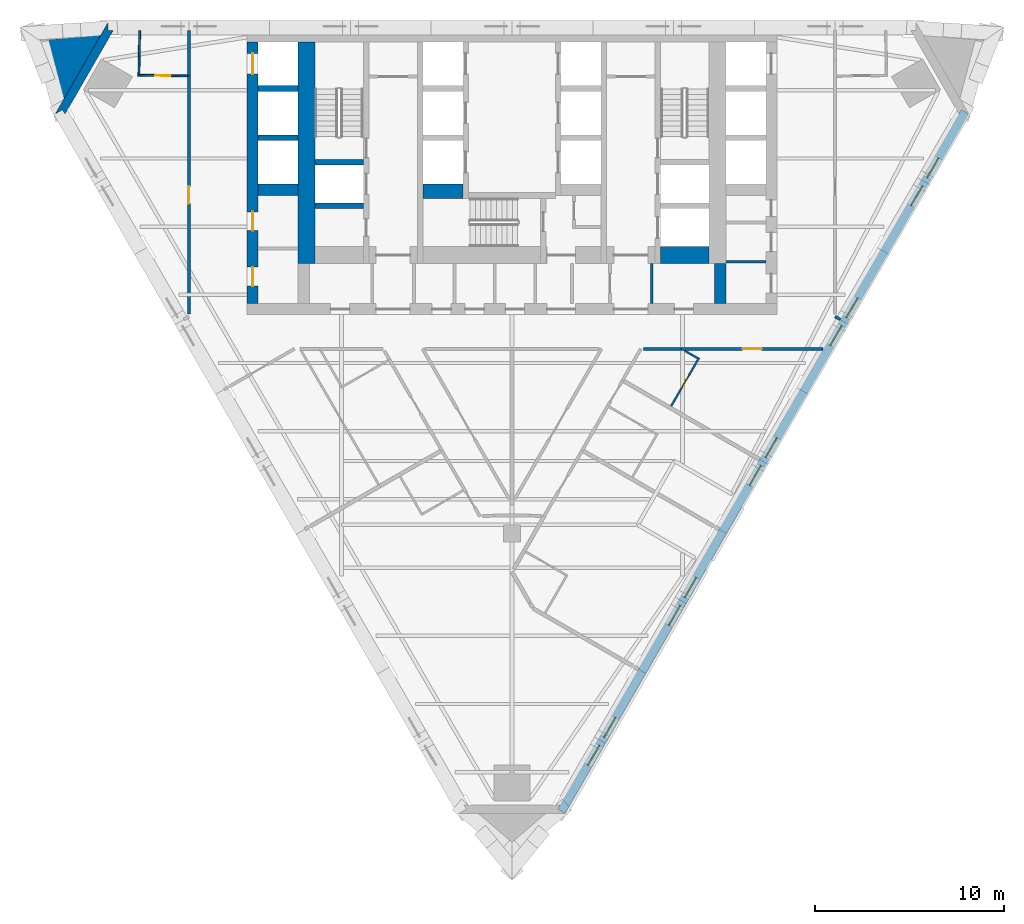
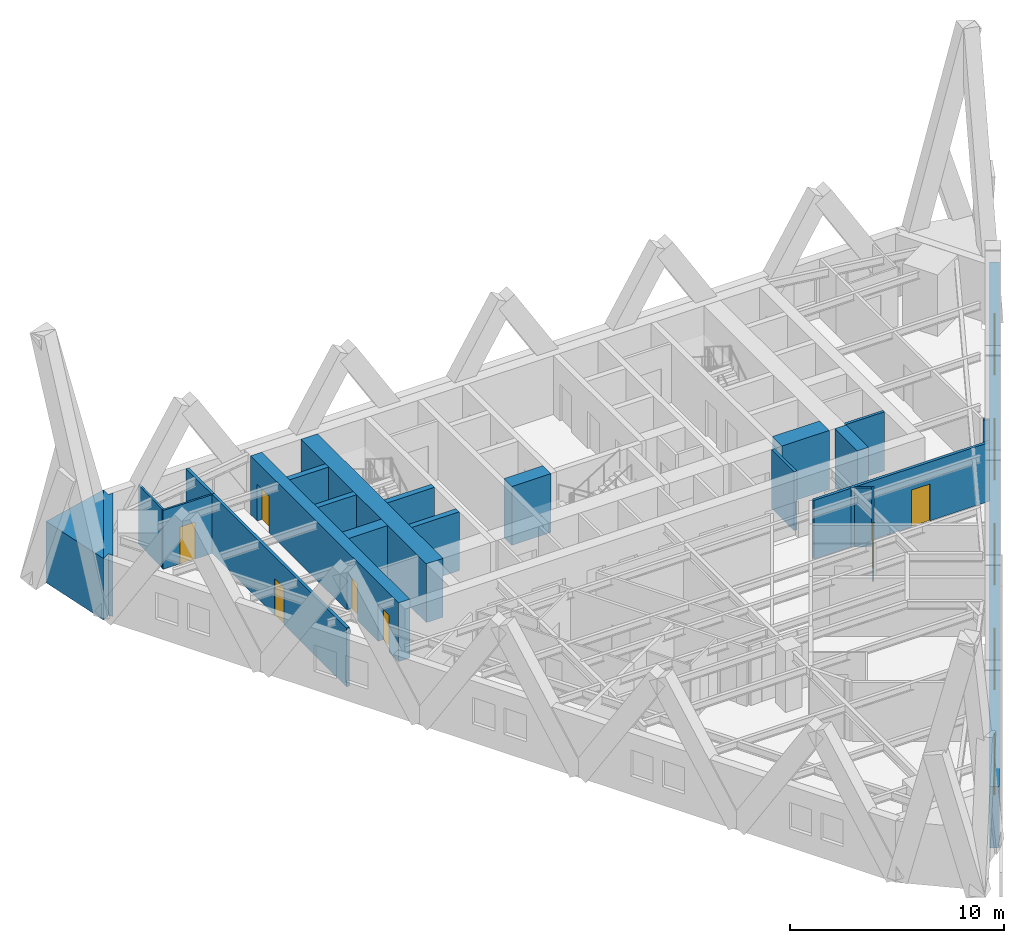
# One storey, part 5 of 9: 24 walls, 10 windows, 7 doors, 17 openings.
"""IFC4 building model written with IfcOpenShell, lengths in metres."""

from ifc_helpers import new_model, si_unit, direction, frame, frame_2d, origin, place, context, subcontext, project, spatial, polyline, rectangle, outline, extrude, material, layer, layer_set, type_object, element, fill, save


model = new_model("IFC4")

# Units and contexts
model_context = context("Model", 3, precision=1e-05, world=origin(), true_north=direction((0.0, 1.0)))
body_context = subcontext(model_context, "Body", "Model", "MODEL_VIEW")
ifc_project = project(units=[si_unit("LENGTHUNIT", "METRE"), si_unit("AREAUNIT", "SQUARE_METRE"), si_unit("VOLUMEUNIT", "CUBIC_METRE"), si_unit("PLANEANGLEUNIT", "RADIAN"), si_unit("MASSUNIT", "GRAM", prefix="KILO")], contexts=[model_context])

# Site, building, storey
site_placement = place(None, origin())
site = spatial("IfcSite", under=ifc_project, at=site_placement, CompositionType="ELEMENT")
building_placement = place(site_placement, origin())
building = spatial("IfcBuilding", under=site, at=building_placement, Name="Aloe Facet Convention Tower", CompositionType="ELEMENT")
storey_placement = place(building_placement, frame((0.0, 0.0, 109.800048828125)))
storey = spatial("IfcBuildingStorey", under=building, at=storey_placement, Name="L27", CompositionType="ELEMENT", Elevation=109.800048828125)

# Walls
ifc_material_1 = material(Name="Concrete blockwork partition", Category="masonry")
ifc_layer_1 = layer(ifc_material_1, 0.14990234375)
ifc_layer_set_1 = layer_set([ifc_layer_1], Name="CR-W-PART150")
wall_type_1 = type_object("IfcWallType", Name="CR-W-PART150", PredefinedType="PARTITIONING", material=ifc_layer_set_1)
wall_1_placement = place(storey_placement, frame((87.375, 122.25, 0.0), z_axis=(0.0, 0.0, 1.0), x_axis=(0.0, -1.0, 0.0)))
element("IfcWall", 1, at=wall_1_placement, inside=storey, type_object=wall_type_1, Name="Core partition L27-041", PredefinedType="PARTITIONING", context=body_context, shape_type="SweptSolid", body=[
    extrude(rectangle(XDim=2.10009765625, YDim=0.14990234375, at=frame_2d((1.050048828125, 0.0))), origin(), (0.0, 0.0, 1.0), 3.349853515625),
])
wall_2_placement = place(storey_placement, frame((91.300048828125, 122.346435546875, 0.0), z_axis=(0.0, 0.0, 1.0), x_axis=(1.0, 0.0, 0.0)))
element("IfcWall", 2, at=wall_2_placement, inside=storey, type_object=wall_type_1, Name="Core partition L27-052", PredefinedType="PARTITIONING", context=body_context, shape_type="SweptSolid", body=[
    extrude(rectangle(XDim=2.099853515625, YDim=0.14990234375, at=frame_2d((1.0498046875, 0.0))), origin(), (0.0, 0.0, 1.0), 3.349853515625),
])
ifc_material_2 = material(Name="Concrete C70/85", Category="concrete")
ifc_layer_2 = layer(ifc_material_2, 0.300048828125)
ifc_layer_set_2 = layer_set([ifc_layer_2], Name="CR-W-RC300-C7085")
wall_type_2 = type_object("IfcWallType", Name="CR-W-RC300-C7085", PredefinedType="SOLIDWALL", material=ifc_layer_set_2)
for number, where, z_axis, x_axis, name in (
    (3, (66.60009765625, 131.5, 0.0), (0.0, 0.0, 1.0), (1.0, 0.0, 0.0), "Core wall L27-004"),
    (4, (66.60009765625, 128.89990234375, 0.0), (0.0, 0.0, 1.0), (1.0, 0.0, 0.0), "Core wall L27-005"),
):
    element("IfcWall", number, at=place(storey_placement, frame(where, z_axis=z_axis, x_axis=x_axis)), inside=storey, type_object=wall_type_2, Name=name, PredefinedType="SOLIDWALL", context=body_context, shape_type="SweptSolid", body=[
        extrude(rectangle(XDim=2.099853515625, YDim=0.300048828125, at=frame_2d((1.0498046875, 0.0))), origin(), (0.0, 0.0, 1.0), 3.349853515625),
    ])
for number, where, z_axis, x_axis, name in (
    (5, (69.60009765625, 127.60009765625, 0.0), (0.0, 0.0, 1.0), (1.0, 0.0, 0.0), "Core wall L27-010"),
    (6, (69.60009765625, 125.300048828125, 0.0), (0.0, 0.0, 1.0), (1.0, 0.0, 0.0), "Core wall L27-011"),
):
    element("IfcWall", number, at=place(storey_placement, frame(where, z_axis=z_axis, x_axis=x_axis)), inside=storey, type_object=wall_type_2, Name=name, PredefinedType="SOLIDWALL", context=body_context, shape_type="SweptSolid", body=[
        extrude(rectangle(XDim=2.5498046875, YDim=0.300048828125, at=frame_2d((1.27490234375, 0.0))), origin(), (0.0, 0.0, 1.0), 3.349853515625),
    ])

# Wall, openings, doors
ifc_material_3 = material(Name="Concrete C70/85", Category="concrete")
ifc_layer_3 = layer(ifc_material_3, 0.60009765625)
ifc_layer_set_3 = layer_set([ifc_layer_3], Name="CR-W-RC600-C7085")
wall_type_3 = type_object("IfcWallType", Name="CR-W-RC600-C7085", PredefinedType="SOLIDWALL", material=ifc_layer_set_3)
wall_3_placement = place(storey_placement, frame((66.300048828125, 133.949951171875, 0.0), z_axis=(0.0, 0.0, 1.0), x_axis=(0.0, -1.0, 0.0)))
wall_3 = element("IfcWall", 7, at=wall_3_placement, inside=storey, type_object=wall_type_3, Name="Core wall L27-002", PredefinedType="SOLIDWALL", context=body_context, shape_type="SweptSolid", body=[
    extrude(rectangle(XDim=13.800048828125, YDim=0.60009765625, at=frame_2d((6.89990234375, 0.0))), origin(), (0.0, 0.0, 1.0), 3.349853515625),
])
opening_1_placement = place(wall_3_placement, frame((0.60009765625, 0.0, 0.0)))
opening_1 = element("IfcOpeningElement", 8, at=opening_1_placement, cuts=wall_3, Name="Opening LD-A7-L27", PredefinedType="OPENING", context=body_context, shape_type="SweptSolid", body=[
    extrude(rectangle(XDim=1.10009765625, YDim=2.10009765625, at=frame_2d((0.550048828125, 1.050048828125))), frame((0.0, 0.31005859375, 0.0), z_axis=(0.0, -1.0, 0.0), x_axis=(1.0, 0.0, 0.0)), (0.0, 0.0, 1.0), 0.6201171875),
])
opening_2_placement = place(wall_3_placement, frame((8.963134765625, 0.0, 0.0)))
opening_2 = element("IfcOpeningElement", 9, at=opening_2_placement, cuts=wall_3, Name="Opening L27-CD34", PredefinedType="OPENING", context=body_context, shape_type="SweptSolid", body=[
    extrude(rectangle(XDim=1.0, YDim=2.10009765625, at=frame_2d((0.5, 1.050048828125))), frame((0.0, 0.31005859375, 0.0), z_axis=(0.0, -1.0, 0.0), x_axis=(1.0, 0.0, 0.0)), (0.0, 0.0, 1.0), 0.6201171875),
])
opening_3_placement = place(wall_3_placement, frame((11.88818359375, 0.0, 0.0)))
opening_3 = element("IfcOpeningElement", 10, at=opening_3_placement, cuts=wall_3, Name="Opening L27-CD35", PredefinedType="OPENING", context=body_context, shape_type="SweptSolid", body=[
    extrude(rectangle(XDim=1.0, YDim=2.10009765625, at=frame_2d((0.5, 1.050048828125))), frame((0.0, 0.31005859375, 0.0), z_axis=(0.0, -1.0, 0.0), x_axis=(1.0, 0.0, 0.0)), (0.0, 0.0, 1.0), 0.6201171875),
])
ifc_material_4 = material(Name="Steel fire-resisting door set FD60", Category="steel")
door_type_1 = type_object("IfcDoorType", Name="CR-D-ROOM-1000-FD60-SLEFT", OperationType="SINGLE_SWING_LEFT", PredefinedType="DOOR", material=ifc_material_4)
door_1_placement = place(opening_2_placement, origin())
door_1 = element("IfcDoor", 11, at=door_1_placement, inside=storey, type_object=door_type_1, Name="Core door L27-CD34", OperationType="SINGLE_SWING_LEFT", OverallHeight=2.10009765625, OverallWidth=1.0, PredefinedType="DOOR", context=body_context, shape_type="SweptSolid", body=[
    extrude(rectangle(XDim=1.0, YDim=2.10009765625, at=frame_2d((0.5, 1.050048828125))), frame((0.0, 0.02490234375, 0.0), z_axis=(0.0, -1.0, 0.0), x_axis=(1.0, 0.0, 0.0)), (0.0, 0.0, 1.0), 0.050048828125),
])
fill(opening_2, door_1)
door_2_placement = place(opening_3_placement, origin())
door_2 = element("IfcDoor", 12, at=door_2_placement, inside=storey, type_object=door_type_1, Name="Core door L27-CD35", OperationType="SINGLE_SWING_LEFT", OverallHeight=2.10009765625, OverallWidth=1.0, PredefinedType="DOOR", context=body_context, shape_type="SweptSolid", body=[
    extrude(rectangle(XDim=1.0, YDim=2.10009765625, at=frame_2d((0.5, 1.050048828125))), frame((0.0, 0.02490234375, 0.0), z_axis=(0.0, -1.0, 0.0), x_axis=(1.0, 0.0, 0.0)), (0.0, 0.0, 1.0), 0.050048828125),
])
fill(opening_3, door_2)
ifc_material_5 = material(Name="Stainless steel sliding landing door", Category="steel")
door_type_2 = type_object("IfcDoorType", Name="CR-LD-1100-FD60-_LEFT", OperationType="SLIDING_TO_LEFT", PredefinedType="DOOR", material=ifc_material_5)
door_3_placement = place(opening_1_placement, origin())
door_3 = element("IfcDoor", 13, at=door_3_placement, inside=storey, type_object=door_type_2, Name="Landing door A7 L27", OperationType="SLIDING_TO_LEFT", OverallHeight=2.10009765625, OverallWidth=1.10009765625, PredefinedType="DOOR", context=body_context, shape_type="SweptSolid", body=[
    extrude(rectangle(XDim=1.10009765625, YDim=2.10009765625, at=frame_2d((0.550048828125, 1.050048828125))), frame((0.0, 0.02490234375, 0.0), z_axis=(0.0, -1.0, 0.0), x_axis=(1.0, 0.0, 0.0)), (0.0, 0.0, 1.0), 0.050048828125),
])
fill(opening_1, door_3)

# Walls
wall_4_placement = place(storey_placement, frame((66.60009765625, 126.14990234375, 0.0), z_axis=(0.0, 0.0, 1.0), x_axis=(1.0, 0.0, 0.0)))
element("IfcWall", 14, at=wall_4_placement, inside=storey, type_object=wall_type_3, Name="Core wall L27-006", PredefinedType="SOLIDWALL", context=body_context, shape_type="SweptSolid", body=[
    extrude(rectangle(XDim=2.099853515625, YDim=0.60009765625, at=frame_2d((1.0498046875, 0.0))), origin(), (0.0, 0.0, 1.0), 3.349853515625),
])
wall_5_placement = place(storey_placement, frame((91.0, 122.25, 0.0), z_axis=(0.0, 0.0, 1.0), x_axis=(0.0, -1.0, 0.0)))
element("IfcWall", 15, at=wall_5_placement, inside=storey, type_object=wall_type_3, Name="Core wall L27-047", PredefinedType="SOLIDWALL", context=body_context, shape_type="SweptSolid", body=[
    extrude(rectangle(XDim=2.10009765625, YDim=0.60009765625, at=frame_2d((1.050048828125, 0.0))), origin(), (0.0, 0.0, 1.0), 3.349853515625),
])
ifc_material_6 = material(Name="Concrete C70/85", Category="concrete")
ifc_layer_4 = layer(ifc_material_6, 0.75)
ifc_layer_set_4 = layer_set([ifc_layer_4], Name="CR-W-RC750-C7085")
wall_type_4 = type_object("IfcWallType", Name="CR-W-RC750-C7085", PredefinedType="SOLIDWALL", material=ifc_layer_set_4)
wall_6_placement = place(storey_placement, frame((75.300048828125, 126.074951171875, 0.0), z_axis=(0.0, 0.0, 1.0), x_axis=(1.0, 0.0, 0.0)))
element("IfcWall", 16, at=wall_6_placement, inside=storey, type_object=wall_type_4, Name="Core wall L27-021", PredefinedType="SOLIDWALL", context=body_context, shape_type="SweptSolid", body=[
    extrude(rectangle(XDim=2.099853515625, YDim=0.75, at=frame_2d((1.0498046875, 0.0))), origin(), (0.0, 0.0, 1.0), 3.349853515625),
])
ifc_material_7 = material(Name="Concrete C70/85", Category="concrete")
ifc_layer_5 = layer(ifc_material_7, 0.89990234375)
ifc_layer_set_5 = layer_set([ifc_layer_5], Name="CR-W-RC900-C7085")
wall_type_5 = type_object("IfcWallType", Name="CR-W-RC900-C7085", PredefinedType="SOLIDWALL", material=ifc_layer_set_5)
wall_7_placement = place(storey_placement, frame((69.14990234375, 133.949951171875, 0.0), z_axis=(0.0, 0.0, 1.0), x_axis=(0.0, -1.0, 0.0)))
element("IfcWall", 17, at=wall_7_placement, inside=storey, type_object=wall_type_5, Name="Core wall L27-008", PredefinedType="SOLIDWALL", context=body_context, shape_type="SweptSolid", body=[
    extrude(rectangle(XDim=11.699951171875, YDim=0.89990234375, at=frame_2d((5.85009765625, 0.0))), origin(), (0.0, 0.0, 1.0), 3.349853515625),
])
wall_8_placement = place(storey_placement, frame((87.85009765625, 122.699951171875, 0.0), z_axis=(0.0, 0.0, 1.0), x_axis=(1.0, 0.0, 0.0)))
element("IfcWall", 18, at=wall_8_placement, inside=storey, type_object=wall_type_5, Name="Core wall L27-045", PredefinedType="SOLIDWALL", context=body_context, shape_type="SweptSolid", body=[
    extrude(rectangle(XDim=2.5498046875, YDim=0.89990234375, at=frame_2d((1.27490234375, 0.0))), origin(), (0.0, 0.0, 1.0), 3.349853515625),
])
ifc_material_8 = material(Name="Precast concrete C40/50", Category="concrete")
ifc_layer_6 = layer(ifc_material_8, 0.449951171875)
ifc_layer_set_6 = layer_set([ifc_layer_6], Name="EV-WALL-PIER")
wall_type_6 = type_object("IfcWallType", Name="EV-WALL-PIER", PredefinedType="SOLIDWALL", material=ifc_layer_set_6)
wall_9_placement = place(storey_placement, frame((0.0, 0.0, -0.150146484375)))
element("IfcWall", 19, at=wall_9_placement, inside=storey, type_object=wall_type_6, Name="EP-L27-A", PredefinedType="SOLIDWALL", context=body_context, shape_type="SweptSolid", body=[
    extrude(outline(polyline([(58.678466796875, 135.0), (58.678466796875, 134.550048828125), (58.938232421875, 134.550048828125), (56.398193359375, 130.150146484375), (56.26806640625, 130.375244140625), (55.87841796875, 130.150146484375), (58.678466796875, 135.0)])), origin(), (0.0, 0.0, 1.0), 3.5),
])
ifc_material_9 = material(Name="Precast concrete C40/50", Category="concrete")
ifc_layer_7 = layer(ifc_material_9, 3.947998046875)
ifc_layer_set_7 = layer_set([ifc_layer_7], Name="EV-WALL-SPINE")
wall_type_7 = type_object("IfcWallType", Name="EV-WALL-SPINE", PredefinedType="SOLIDWALL", material=ifc_layer_set_7)
wall_10_placement = place(storey_placement, frame((0.0, 0.0, -0.150146484375)))
element("IfcWall", 20, at=wall_10_placement, inside=storey, type_object=wall_type_7, Name="SP-NW-L27", PredefinedType="SOLIDWALL", context=body_context, shape_type="SweptSolid", body=[
    extrude(outline(polyline([(58.678466796875, 135.0), (55.07666015625, 134.11328125), (55.87841796875, 130.150146484375), (58.678466796875, 135.0)])), origin(), (0.0, 0.0, 1.0), 3.5),
])

# Wall, openings, windows
ifc_material_10 = material(Name="Precast concrete C40/50", Category="concrete")
ifc_layer_8 = layer(ifc_material_10, 0.449951171875)
ifc_layer_set_8 = layer_set([ifc_layer_8], Name="EV-WALL-STONE")
wall_type_8 = type_object("IfcWallType", Name="EV-WALL-STONE", PredefinedType="SOLIDWALL", material=ifc_layer_set_8)
wall_11_placement = place(storey_placement, frame((82.605224609375, 93.332763671875, -0.150146484375), z_axis=(0.0, 0.0, 1.0), x_axis=(0.500000478905, 0.866025127289, 0.0)))
wall_11 = element("IfcWall", 21, at=wall_11_placement, inside=storey, type_object=wall_type_8, Name="EW-L27-E01", PredefinedType="SOLIDWALL", context=body_context, shape_type="SweptSolid", body=[
    extrude(outline(polyline([(42.64306640625, 0.0), (42.64306640625, 3.5), (0.0, 3.5), (0.0, 0.0), (42.64306640625, 0.0)])), frame((0.0, 0.22509765625, 0.0), z_axis=(0.0, -1.0, 0.0), x_axis=(1.0, 0.0, 0.0)), (0.0, 0.0, 1.0), 0.449951171875),
])
opening_4_placement = place(wall_11_placement, frame((2.814208984375, 0.0, 1.050048828125)))
opening_4 = element("IfcOpeningElement", 22, at=opening_4_placement, cuts=wall_11, Name="Opening W-L27-E01", PredefinedType="OPENING", context=body_context, shape_type="SweptSolid", body=[
    extrude(rectangle(XDim=1.199951171875, YDim=1.5, at=frame_2d((0.60009765625, 0.75))), frame((0.0, 0.23486328125, 0.0), z_axis=(0.0, -1.0, 0.0), x_axis=(1.0, 0.0, 0.0)), (0.0, 0.0, 1.0), 0.469970703125),
])
opening_5_placement = place(wall_11_placement, frame((4.514404296875, 0.0, 1.050048828125)))
opening_5 = element("IfcOpeningElement", 23, at=opening_5_placement, cuts=wall_11, Name="Opening W-L27-E02", PredefinedType="OPENING", context=body_context, shape_type="SweptSolid", body=[
    extrude(rectangle(XDim=1.199951171875, YDim=1.5, at=frame_2d((0.60009765625, 0.75))), frame((0.0, 0.23486328125, 0.0), z_axis=(0.0, -1.0, 0.0), x_axis=(1.0, 0.0, 0.0)), (0.0, 0.0, 1.0), 0.469970703125),
])
opening_6_placement = place(wall_11_placement, frame((11.343017578125, 0.0, 1.050048828125)))
opening_6 = element("IfcOpeningElement", 24, at=opening_6_placement, cuts=wall_11, Name="Opening W-L27-E03", PredefinedType="OPENING", context=body_context, shape_type="SweptSolid", body=[
    extrude(rectangle(XDim=1.199951171875, YDim=1.5, at=frame_2d((0.60009765625, 0.75))), frame((0.0, 0.23486328125, 0.0), z_axis=(0.0, -1.0, 0.0), x_axis=(1.0, 0.0, 0.0)), (0.0, 0.0, 1.0), 0.469970703125),
])
opening_7_placement = place(wall_11_placement, frame((13.04296875, 0.0, 1.050048828125)))
opening_7 = element("IfcOpeningElement", 25, at=opening_7_placement, cuts=wall_11, Name="Opening W-L27-E04", PredefinedType="OPENING", context=body_context, shape_type="SweptSolid", body=[
    extrude(rectangle(XDim=1.199951171875, YDim=1.5, at=frame_2d((0.60009765625, 0.75))), frame((0.0, 0.23486328125, 0.0), z_axis=(0.0, -1.0, 0.0), x_axis=(1.0, 0.0, 0.0)), (0.0, 0.0, 1.0), 0.469970703125),
])
opening_8_placement = place(wall_11_placement, frame((19.87158203125, 0.0, 1.050048828125)))
opening_8 = element("IfcOpeningElement", 26, at=opening_8_placement, cuts=wall_11, Name="Opening W-L27-E05", PredefinedType="OPENING", context=body_context, shape_type="SweptSolid", body=[
    extrude(rectangle(XDim=1.199951171875, YDim=1.5, at=frame_2d((0.60009765625, 0.75))), frame((0.0, 0.23486328125, 0.0), z_axis=(0.0, -1.0, 0.0), x_axis=(1.0, 0.0, 0.0)), (0.0, 0.0, 1.0), 0.469970703125),
])
opening_9_placement = place(wall_11_placement, frame((21.571533203125, 0.0, 1.050048828125)))
opening_9 = element("IfcOpeningElement", 27, at=opening_9_placement, cuts=wall_11, Name="Opening W-L27-E06", PredefinedType="OPENING", context=body_context, shape_type="SweptSolid", body=[
    extrude(rectangle(XDim=1.199951171875, YDim=1.5, at=frame_2d((0.60009765625, 0.75))), frame((0.0, 0.23486328125, 0.0), z_axis=(0.0, -1.0, 0.0), x_axis=(1.0, 0.0, 0.0)), (0.0, 0.0, 1.0), 0.469970703125),
])
opening_10_placement = place(wall_11_placement, frame((28.400146484375, 0.0, 1.050048828125)))
opening_10 = element("IfcOpeningElement", 28, at=opening_10_placement, cuts=wall_11, Name="Opening W-L27-E07", PredefinedType="OPENING", context=body_context, shape_type="SweptSolid", body=[
    extrude(rectangle(XDim=1.199951171875, YDim=1.5, at=frame_2d((0.60009765625, 0.75))), frame((0.0, 0.23486328125, 0.0), z_axis=(0.0, -1.0, 0.0), x_axis=(1.0, 0.0, 0.0)), (0.0, 0.0, 1.0), 0.469970703125),
])
opening_11_placement = place(wall_11_placement, frame((30.10009765625, 0.0, 1.050048828125)))
opening_11 = element("IfcOpeningElement", 29, at=opening_11_placement, cuts=wall_11, Name="Opening W-L27-E08", PredefinedType="OPENING", context=body_context, shape_type="SweptSolid", body=[
    extrude(rectangle(XDim=1.199951171875, YDim=1.5, at=frame_2d((0.60009765625, 0.75))), frame((0.0, 0.23486328125, 0.0), z_axis=(0.0, -1.0, 0.0), x_axis=(1.0, 0.0, 0.0)), (0.0, 0.0, 1.0), 0.469970703125),
])
opening_12_placement = place(wall_11_placement, frame((36.9287109375, 0.0, 1.050048828125)))
opening_12 = element("IfcOpeningElement", 30, at=opening_12_placement, cuts=wall_11, Name="Opening W-L27-E09", PredefinedType="OPENING", context=body_context, shape_type="SweptSolid", body=[
    extrude(rectangle(XDim=1.199951171875, YDim=1.5, at=frame_2d((0.60009765625, 0.75))), frame((0.0, 0.23486328125, 0.0), z_axis=(0.0, -1.0, 0.0), x_axis=(1.0, 0.0, 0.0)), (0.0, 0.0, 1.0), 0.469970703125),
])
opening_13_placement = place(wall_11_placement, frame((38.628662109375, 0.0, 1.050048828125)))
opening_13 = element("IfcOpeningElement", 31, at=opening_13_placement, cuts=wall_11, Name="Opening W-L27-E10", PredefinedType="OPENING", context=body_context, shape_type="SweptSolid", body=[
    extrude(rectangle(XDim=1.199951171875, YDim=1.5, at=frame_2d((0.60009765625, 0.75))), frame((0.0, 0.23486328125, 0.0), z_axis=(0.0, -1.0, 0.0), x_axis=(1.0, 0.0, 0.0)), (0.0, 0.0, 1.0), 0.469970703125),
])
ifc_material_11 = material(Name="Aluminium frame, clear double glazing", Category="aluminium")
window_type = type_object("IfcWindowType", Name="EV-WIN-H12", PartitioningType="SINGLE_PANEL", PredefinedType="WINDOW", material=ifc_material_11)
window_1_placement = place(opening_4_placement, origin())
window_1 = element("IfcWindow", 32, at=window_1_placement, inside=storey, type_object=window_type, Name="W-L27-E01", OverallHeight=1.5, OverallWidth=1.199951171875, PartitioningType="SINGLE_PANEL", PredefinedType="WINDOW", context=body_context, shape_type="SweptSolid", body=[
    extrude(rectangle(XDim=1.199951171875, YDim=1.5, at=frame_2d((0.60009765625, 0.75))), frame((0.0, 0.030029296875, 0.0), z_axis=(0.0, -1.0, 0.0), x_axis=(1.0, 0.0, 0.0)), (0.0, 0.0, 1.0), 0.06005859375),
])
fill(opening_4, window_1)
window_2_placement = place(opening_5_placement, origin())
window_2 = element("IfcWindow", 33, at=window_2_placement, inside=storey, type_object=window_type, Name="W-L27-E02", OverallHeight=1.5, OverallWidth=1.199951171875, PartitioningType="SINGLE_PANEL", PredefinedType="WINDOW", context=body_context, shape_type="SweptSolid", body=[
    extrude(rectangle(XDim=1.199951171875, YDim=1.5, at=frame_2d((0.60009765625, 0.75))), frame((0.0, 0.030029296875, 0.0), z_axis=(0.0, -1.0, 0.0), x_axis=(1.0, 0.0, 0.0)), (0.0, 0.0, 1.0), 0.06005859375),
])
fill(opening_5, window_2)
window_3_placement = place(opening_6_placement, origin())
window_3 = element("IfcWindow", 34, at=window_3_placement, inside=storey, type_object=window_type, Name="W-L27-E03", OverallHeight=1.5, OverallWidth=1.199951171875, PartitioningType="SINGLE_PANEL", PredefinedType="WINDOW", context=body_context, shape_type="SweptSolid", body=[
    extrude(rectangle(XDim=1.199951171875, YDim=1.5, at=frame_2d((0.60009765625, 0.75))), frame((0.0, 0.030029296875, 0.0), z_axis=(0.0, -1.0, 0.0), x_axis=(1.0, 0.0, 0.0)), (0.0, 0.0, 1.0), 0.06005859375),
])
fill(opening_6, window_3)
window_4_placement = place(opening_7_placement, origin())
window_4 = element("IfcWindow", 35, at=window_4_placement, inside=storey, type_object=window_type, Name="W-L27-E04", OverallHeight=1.5, OverallWidth=1.199951171875, PartitioningType="SINGLE_PANEL", PredefinedType="WINDOW", context=body_context, shape_type="SweptSolid", body=[
    extrude(rectangle(XDim=1.199951171875, YDim=1.5, at=frame_2d((0.60009765625, 0.75))), frame((0.0, 0.030029296875, 0.0), z_axis=(0.0, -1.0, 0.0), x_axis=(1.0, 0.0, 0.0)), (0.0, 0.0, 1.0), 0.06005859375),
])
fill(opening_7, window_4)
window_5_placement = place(opening_8_placement, origin())
window_5 = element("IfcWindow", 36, at=window_5_placement, inside=storey, type_object=window_type, Name="W-L27-E05", OverallHeight=1.5, OverallWidth=1.199951171875, PartitioningType="SINGLE_PANEL", PredefinedType="WINDOW", context=body_context, shape_type="SweptSolid", body=[
    extrude(rectangle(XDim=1.199951171875, YDim=1.5, at=frame_2d((0.60009765625, 0.75))), frame((0.0, 0.030029296875, 0.0), z_axis=(0.0, -1.0, 0.0), x_axis=(1.0, 0.0, 0.0)), (0.0, 0.0, 1.0), 0.06005859375),
])
fill(opening_8, window_5)
window_6_placement = place(opening_9_placement, origin())
window_6 = element("IfcWindow", 37, at=window_6_placement, inside=storey, type_object=window_type, Name="W-L27-E06", OverallHeight=1.5, OverallWidth=1.199951171875, PartitioningType="SINGLE_PANEL", PredefinedType="WINDOW", context=body_context, shape_type="SweptSolid", body=[
    extrude(rectangle(XDim=1.199951171875, YDim=1.5, at=frame_2d((0.60009765625, 0.75))), frame((0.0, 0.030029296875, 0.0), z_axis=(0.0, -1.0, 0.0), x_axis=(1.0, 0.0, 0.0)), (0.0, 0.0, 1.0), 0.06005859375),
])
fill(opening_9, window_6)
window_7_placement = place(opening_10_placement, origin())
window_7 = element("IfcWindow", 38, at=window_7_placement, inside=storey, type_object=window_type, Name="W-L27-E07", OverallHeight=1.5, OverallWidth=1.199951171875, PartitioningType="SINGLE_PANEL", PredefinedType="WINDOW", context=body_context, shape_type="SweptSolid", body=[
    extrude(rectangle(XDim=1.199951171875, YDim=1.5, at=frame_2d((0.60009765625, 0.75))), frame((0.0, 0.030029296875, 0.0), z_axis=(0.0, -1.0, 0.0), x_axis=(1.0, 0.0, 0.0)), (0.0, 0.0, 1.0), 0.06005859375),
])
fill(opening_10, window_7)
window_8_placement = place(opening_11_placement, origin())
window_8 = element("IfcWindow", 39, at=window_8_placement, inside=storey, type_object=window_type, Name="W-L27-E08", OverallHeight=1.5, OverallWidth=1.199951171875, PartitioningType="SINGLE_PANEL", PredefinedType="WINDOW", context=body_context, shape_type="SweptSolid", body=[
    extrude(rectangle(XDim=1.199951171875, YDim=1.5, at=frame_2d((0.60009765625, 0.75))), frame((0.0, 0.030029296875, 0.0), z_axis=(0.0, -1.0, 0.0), x_axis=(1.0, 0.0, 0.0)), (0.0, 0.0, 1.0), 0.06005859375),
])
fill(opening_11, window_8)
window_9_placement = place(opening_12_placement, origin())
window_9 = element("IfcWindow", 40, at=window_9_placement, inside=storey, type_object=window_type, Name="W-L27-E09", OverallHeight=1.5, OverallWidth=1.199951171875, PartitioningType="SINGLE_PANEL", PredefinedType="WINDOW", context=body_context, shape_type="SweptSolid", body=[
    extrude(rectangle(XDim=1.199951171875, YDim=1.5, at=frame_2d((0.60009765625, 0.75))), frame((0.0, 0.030029296875, 0.0), z_axis=(0.0, -1.0, 0.0), x_axis=(1.0, 0.0, 0.0)), (0.0, 0.0, 1.0), 0.06005859375),
])
fill(opening_12, window_9)
window_10_placement = place(opening_13_placement, origin())
window_10 = element("IfcWindow", 41, at=window_10_placement, inside=storey, type_object=window_type, Name="W-L27-E10", OverallHeight=1.5, OverallWidth=1.199951171875, PartitioningType="SINGLE_PANEL", PredefinedType="WINDOW", context=body_context, shape_type="SweptSolid", body=[
    extrude(rectangle(XDim=1.199951171875, YDim=1.5, at=frame_2d((0.60009765625, 0.75))), frame((0.0, 0.030029296875, 0.0), z_axis=(0.0, -1.0, 0.0), x_axis=(1.0, 0.0, 0.0)), (0.0, 0.0, 1.0), 0.06005859375),
])
fill(opening_13, window_10)

# Wall
ifc_material_12 = material(Name="Gypsum board partition on steel studs", Category="steel")
ifc_layer_9 = layer(ifc_material_12, 0.14990234375)
ifc_layer_set_9 = layer_set([ifc_layer_9], Name="IN-W-CORR")
wall_type_9 = type_object("IfcWallType", Name="IN-W-CORR", PredefinedType="PARTITIONING", material=ifc_layer_set_9)
wall_12_placement = place(storey_placement, frame((86.9306640625, 117.75, 0.0), z_axis=(0.0, 0.0, 1.0), x_axis=(1.0, 0.0, 0.0)))
element("IfcWall", 42, at=wall_12_placement, inside=storey, type_object=wall_type_9, Name="Partition L27-W052", PredefinedType="PARTITIONING", context=body_context, shape_type="SweptSolid", body=[
    extrude(rectangle(XDim=2.005615234375, YDim=0.14990234375, at=frame_2d((1.0029296875, 0.0))), origin(), (0.0, 0.0, 1.0), 3.349853515625),
])

# Wall, opening, door
wall_13_placement = place(storey_placement, frame((88.936279296875, 117.75, 0.0), z_axis=(0.0, 0.0, 1.0), x_axis=(1.0, 0.0, 0.0)))
wall_13 = element("IfcWall", 43, at=wall_13_placement, inside=storey, type_object=wall_type_9, Name="Partition L27-W054", PredefinedType="PARTITIONING", context=body_context, shape_type="SweptSolid", body=[
    extrude(rectangle(XDim=7.494873046875, YDim=0.14990234375, at=frame_2d((3.74755859375, 0.0))), origin(), (0.0, 0.0, 1.0), 3.349853515625),
])
opening_14_placement = place(wall_13_placement, frame((3.247314453125, 0.0, 0.0)))
opening_14 = element("IfcOpeningElement", 44, at=opening_14_placement, cuts=wall_13, Name="Opening L27-006", PredefinedType="OPENING", context=body_context, shape_type="SweptSolid", body=[
    extrude(rectangle(XDim=1.0, YDim=2.10009765625, at=frame_2d((0.5, 1.050048828125))), frame((0.0, 0.0849609375, 0.0), z_axis=(0.0, -1.0, 0.0), x_axis=(1.0, 0.0, 0.0)), (0.0, 0.0, 1.0), 0.169921875),
])
ifc_material_13 = material(Name="Hardwood flush door FD30S", Category="wood")
door_type_3 = type_object("IfcDoorType", Name="IN-D-WIDE", OperationType="SINGLE_SWING_LEFT", PredefinedType="DOOR", material=ifc_material_13)
door_4_placement = place(opening_14_placement, origin())
door_4 = element("IfcDoor", 45, at=door_4_placement, inside=storey, type_object=door_type_3, Name="Door L27-006", OperationType="SINGLE_SWING_LEFT", OverallHeight=2.10009765625, OverallWidth=1.0, PredefinedType="DOOR", context=body_context, shape_type="SweptSolid", body=[
    extrude(rectangle(XDim=1.0, YDim=2.10009765625, at=frame_2d((0.5, 1.050048828125))), frame((0.0, 0.02490234375, 0.0), z_axis=(0.0, -1.0, 0.0), x_axis=(1.0, 0.0, 0.0)), (0.0, 0.0, 1.0), 0.050048828125),
])
fill(opening_14, door_4)

wall_14_placement = place(storey_placement, frame((62.94287109375, 119.586669921875, 0.0), z_axis=(0.0, 0.0, 1.0), x_axis=(0.0, 1.0, 0.0)))
wall_14 = element("IfcWall", 46, at=wall_14_placement, inside=storey, type_object=wall_type_9, Name="Partition L27-W056", PredefinedType="PARTITIONING", context=body_context, shape_type="SweptSolid", body=[
    extrude(rectangle(XDim=12.572998046875, YDim=0.14990234375, at=frame_2d((6.28662109375, 0.0))), origin(), (0.0, 0.0, 1.0), 3.349853515625),
])
opening_15_placement = place(wall_14_placement, frame((5.83642578125, 0.0, 0.0)))
opening_15 = element("IfcOpeningElement", 47, at=opening_15_placement, cuts=wall_14, Name="Opening L27-001", PredefinedType="OPENING", context=body_context, shape_type="SweptSolid", body=[
    extrude(rectangle(XDim=0.89990234375, YDim=2.10009765625, at=frame_2d((0.449951171875, 1.050048828125))), frame((0.0, 0.0849609375, 0.0), z_axis=(0.0, -1.0, 0.0), x_axis=(1.0, 0.0, 0.0)), (0.0, 0.0, 1.0), 0.169921875),
])
ifc_material_14 = material(Name="Hardwood flush door FD30S", Category="wood")
door_type_4 = type_object("IfcDoorType", Name="IN-D-GUEST", OperationType="SINGLE_SWING_LEFT", PredefinedType="DOOR", material=ifc_material_14)
door_5_placement = place(opening_15_placement, origin())
door_5 = element("IfcDoor", 48, at=door_5_placement, inside=storey, type_object=door_type_4, Name="Door L27-001", OperationType="SINGLE_SWING_LEFT", OverallHeight=2.10009765625, OverallWidth=0.89990234375, PredefinedType="DOOR", context=body_context, shape_type="SweptSolid", body=[
    extrude(rectangle(XDim=0.89990234375, YDim=2.10009765625, at=frame_2d((0.449951171875, 1.050048828125))), frame((0.0, 0.02490234375, 0.0), z_axis=(0.0, -1.0, 0.0), x_axis=(1.0, 0.0, 0.0)), (0.0, 0.0, 1.0), 0.050048828125),
])
fill(opening_15, door_5)

# Walls
wall_15_placement = place(storey_placement, frame((97.05712890625, 119.456787109375, 0.0), z_axis=(0.0, 0.0, 1.0), x_axis=(0.866159461733, -0.499767732902, 0.0)))
element("IfcWall", 49, at=wall_15_placement, inside=storey, type_object=wall_type_9, Name="Partition L27-W057", PredefinedType="PARTITIONING", context=body_context, shape_type="SweptSolid", body=[
    extrude(rectangle(XDim=0.311279296875, YDim=0.14990234375, at=frame_2d((0.15576171875, 0.0))), origin(), (0.0, 0.0, 1.0), 3.349853515625),
])
wall_16_placement = place(storey_placement, frame((62.94287109375, 132.15966796875, 0.0), z_axis=(0.0, 0.0, 1.0), x_axis=(0.0, 1.0, 0.0)))
element("IfcWall", 50, at=wall_16_placement, inside=storey, type_object=wall_type_9, Name="Partition L27-W066", PredefinedType="PARTITIONING", context=body_context, shape_type="SweptSolid", body=[
    extrude(rectangle(XDim=2.390380859375, YDim=0.14990234375, at=frame_2d((1.1953125, 0.0))), origin(), (0.0, 0.0, 1.0), 3.349853515625),
])

# Wall, opening, door
ifc_material_15 = material(Name="Gypsum board partition on steel studs", Category="steel")
ifc_layer_10 = layer(ifc_material_15, 0.10009765625)
ifc_layer_set_10 = layer_set([ifc_layer_10], Name="IN-W-PART")
wall_type_10 = type_object("IfcWallType", Name="IN-W-PART", PredefinedType="PARTITIONING", material=ifc_layer_set_10)
wall_17_placement = place(storey_placement, frame((88.40625, 114.73046875, 0.0), z_axis=(0.0, 0.0, 1.0), x_axis=(0.499988418424, 0.866032090307, 0.0)))
wall_17 = element("IfcWall", 51, at=wall_17_placement, inside=storey, type_object=wall_type_10, Name="Partition L27-W041", PredefinedType="PARTITIONING", context=body_context, shape_type="SweptSolid", body=[
    extrude(rectangle(XDim=2.93994140625, YDim=0.10009765625, at=frame_2d((1.469970703125, 0.0))), origin(), (0.0, 0.0, 1.0), 3.349853515625),
])
opening_16_placement = place(wall_17_placement, frame((1.070068359375, 0.0, 0.0)))
opening_16 = element("IfcOpeningElement", 52, at=opening_16_placement, cuts=wall_17, Name="Opening L27-017", PredefinedType="OPENING", context=body_context, shape_type="SweptSolid", body=[
    extrude(rectangle(XDim=0.800048828125, YDim=2.10009765625, at=frame_2d((0.39990234375, 1.050048828125))), frame((0.0, 0.06005859375, 0.0), z_axis=(0.0, -1.0, 0.0), x_axis=(1.0, 0.0, 0.0)), (0.0, 0.0, 1.0), 0.1201171875),
])
ifc_material_16 = material(Name="Timber flush door", Category="wood")
door_type_5 = type_object("IfcDoorType", Name="IN-D-BATH", OperationType="SINGLE_SWING_LEFT", PredefinedType="DOOR", material=ifc_material_16)
door_6_placement = place(opening_16_placement, origin())
door_6 = element("IfcDoor", 53, at=door_6_placement, inside=storey, type_object=door_type_5, Name="Door L27-017", OperationType="SINGLE_SWING_LEFT", OverallHeight=2.10009765625, OverallWidth=0.800048828125, PredefinedType="DOOR", context=body_context, shape_type="SweptSolid", body=[
    extrude(rectangle(XDim=0.800048828125, YDim=2.10009765625, at=frame_2d((0.39990234375, 1.050048828125))), frame((0.0, 0.02490234375, 0.0), z_axis=(0.0, -1.0, 0.0), x_axis=(1.0, 0.0, 0.0)), (0.0, 0.0, 1.0), 0.050048828125),
])
fill(opening_16, door_6)

# Wall
wall_18_placement = place(storey_placement, frame((89.11474609375, 117.649169921875, 0.0), z_axis=(0.0, 0.0, 1.0), x_axis=(0.870869355457, -0.491514563087, 0.0)))
element("IfcWall", 54, at=wall_18_placement, inside=storey, type_object=wall_type_10, Name="Partition L27-W053", PredefinedType="PARTITIONING", context=body_context, shape_type="SweptSolid", body=[
    extrude(rectangle(XDim=0.785888671875, YDim=0.10009765625, at=frame_2d((0.39306640625, 0.0))), origin(), (0.0, 0.0, 1.0), 3.349853515625),
])

# Wall, opening, door
wall_19_placement = place(storey_placement, frame((60.24951171875, 132.198486328125, 0.0), z_axis=(0.0, 0.0, 1.0), x_axis=(0.999895563634, -0.014452052626, 0.0)))
wall_19 = element("IfcWall", 55, at=wall_19_placement, inside=storey, type_object=wall_type_10, Name="Partition L27-W059", PredefinedType="PARTITIONING", context=body_context, shape_type="SweptSolid", body=[
    extrude(rectangle(XDim=2.618408203125, YDim=0.10009765625, at=frame_2d((1.30908203125, 0.0))), origin(), (0.0, 0.0, 1.0), 3.349853515625),
])
opening_17_placement = place(wall_19_placement, frame((0.909423828125, 0.0, 0.0)))
opening_17 = element("IfcOpeningElement", 56, at=opening_17_placement, cuts=wall_19, Name="Opening L27-011", PredefinedType="OPENING", context=body_context, shape_type="SweptSolid", body=[
    extrude(rectangle(XDim=0.800048828125, YDim=2.10009765625, at=frame_2d((0.39990234375, 1.050048828125))), frame((0.0, 0.06005859375, 0.0), z_axis=(0.0, -1.0, 0.0), x_axis=(1.0, 0.0, 0.0)), (0.0, 0.0, 1.0), 0.1201171875),
])
door_7_placement = place(opening_17_placement, origin())
door_7 = element("IfcDoor", 57, at=door_7_placement, inside=storey, type_object=door_type_5, Name="Door L27-011", OperationType="SINGLE_SWING_LEFT", OverallHeight=2.10009765625, OverallWidth=0.800048828125, PredefinedType="DOOR", context=body_context, shape_type="SweptSolid", body=[
    extrude(rectangle(XDim=0.800048828125, YDim=2.10009765625, at=frame_2d((0.39990234375, 1.050048828125))), frame((0.0, 0.02490234375, 0.0), z_axis=(0.0, -1.0, 0.0), x_axis=(1.0, 0.0, 0.0)), (0.0, 0.0, 1.0), 0.050048828125),
])
fill(opening_17, door_7)

# Wall
wall_20_placement = place(storey_placement, frame((60.30029296875, 132.247802734375, 0.0), z_axis=(0.0, 0.0, 1.0), x_axis=(0.018236627382, 0.999833698883, 0.0)))
element("IfcWall", 58, at=wall_20_placement, inside=storey, type_object=wall_type_10, Name="Partition L27-W062", PredefinedType="PARTITIONING", context=body_context, shape_type="SweptSolid", body=[
    extrude(rectangle(XDim=2.302734375, YDim=0.10009765625, at=frame_2d((1.1513671875, 0.0))), origin(), (0.0, 0.0, 1.0), 3.349853515625),
])

save(model, "model.ifc")
